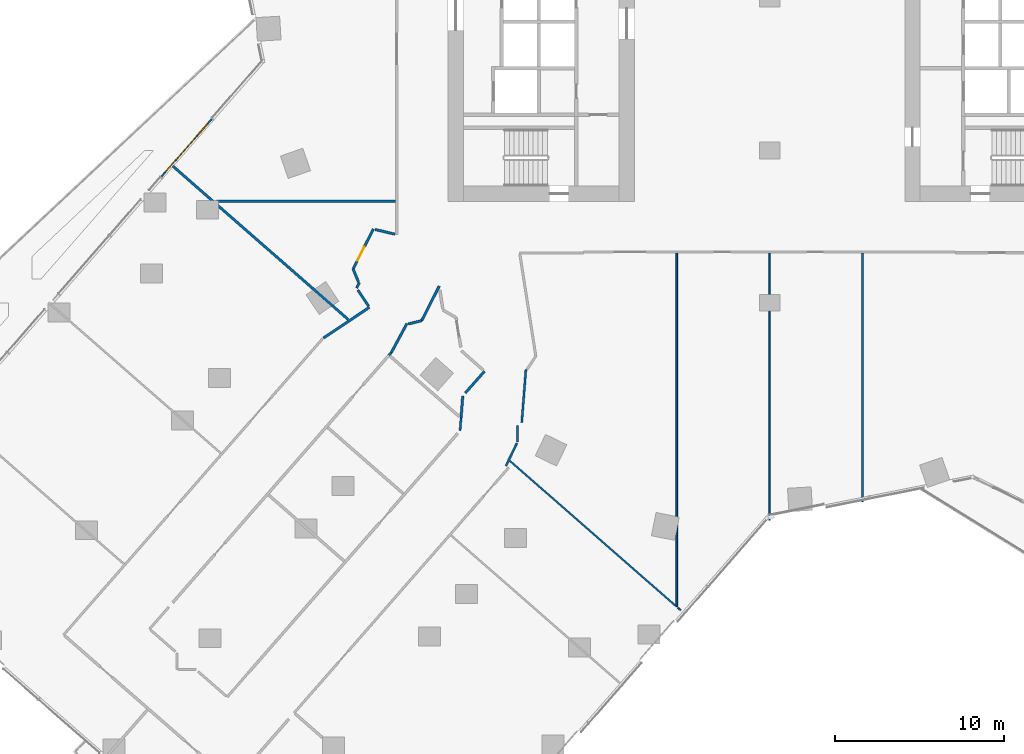
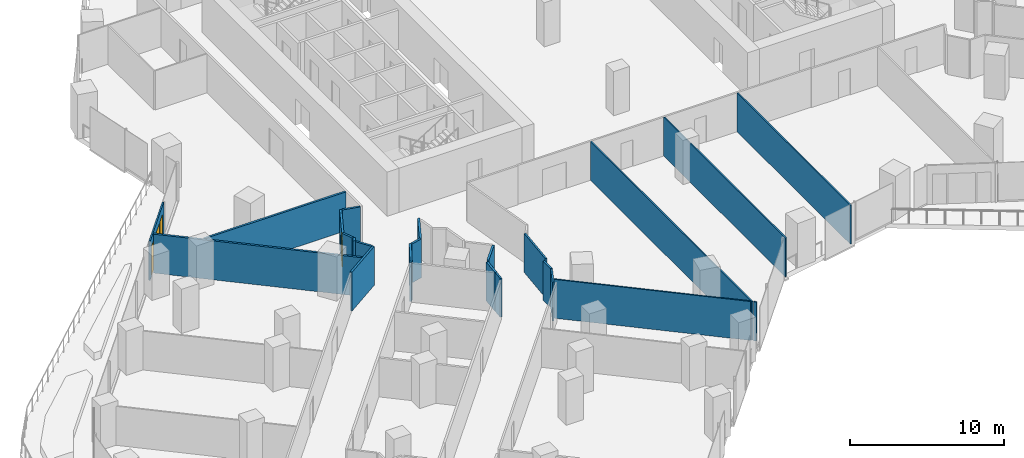
# One storey, part 22 of 32: 24 walls, 2 doors, 2 windows, 4 openings.
"""IFC4 building model written with IfcOpenShell, lengths in metres."""

from ifc_helpers import new_model, si_unit, direction, frame, frame_2d, origin, place, context, subcontext, project, spatial, rectangle, extrude, material, layer, layer_set, type_object, element, fill, save


model = new_model("IFC4")

# Units and contexts
model_context = context("Model", 3, precision=1e-05, world=origin(), true_north=direction((0.0, 1.0)))
body_context = subcontext(model_context, "Body", "Model", "MODEL_VIEW")
ifc_project = project(units=[si_unit("LENGTHUNIT", "METRE"), si_unit("AREAUNIT", "SQUARE_METRE"), si_unit("VOLUMEUNIT", "CUBIC_METRE"), si_unit("PLANEANGLEUNIT", "RADIAN"), si_unit("MASSUNIT", "GRAM", prefix="KILO")], contexts=[model_context])

# Site, building, storey
site_placement = place(None, origin())
site = spatial("IfcSite", under=ifc_project, at=site_placement, CompositionType="ELEMENT")
building_placement = place(site_placement, origin())
building = spatial("IfcBuilding", under=site, at=building_placement, Name="Orlundy Tower", CompositionType="ELEMENT")
storey_placement = place(building_placement, frame((0.0, 0.0, 58.800048828125)))
storey = spatial("IfcBuildingStorey", under=building, at=storey_placement, Name="L13", CompositionType="ELEMENT", Elevation=58.800048828125)

# Walls
ifc_material_1 = material(Name="Gypsum board partition")
ifc_layer_1 = layer(ifc_material_1, 0.10009765625)
ifc_layer_set_1 = layer_set([ifc_layer_1], Name="Floor partition 100")
wall_type_1 = type_object("IfcWallType", Name="Floor partition 100", PredefinedType="PARTITIONING", material=ifc_layer_set_1)
wall_1_placement = place(storey_placement, frame((-15.35888671875, -27.343017578125, 0.0), z_axis=(0.0, 0.0, 1.0), x_axis=(0.752799867841, -0.658249465612, 0.0)))
element("IfcWall", 1, at=wall_1_placement, inside=storey, type_object=wall_type_1, Name="wall-int-L13-020", PredefinedType="PARTITIONING", context=body_context, shape_type="SweptSolid", body=[
    extrude(rectangle(XDim=13.0087890625, YDim=0.10009765625, at=frame_2d((6.50439453125, 0.0))), origin(), (0.0, 0.0, 1.0), 3.079833984375),
])
wall_2_placement = place(storey_placement, frame((-5.426025390625, -36.028076171875, 0.0), z_axis=(0.0, 0.0, 1.0), x_axis=(0.753404579801, -0.657557251602, 0.0)))
element("IfcWall", 2, at=wall_2_placement, inside=storey, type_object=wall_type_1, Name="wall-int-L13-021", PredefinedType="PARTITIONING", context=body_context, shape_type="SweptSolid", body=[
    extrude(rectangle(XDim=0.218994140625, YDim=0.10009765625, at=frame_2d((0.109375, 0.0))), origin(), (0.0, 0.0, 1.0), 3.079833984375),
])
wall_3_placement = place(storey_placement, frame((5.49609375, -29.75, 0.0), z_axis=(0.0, 0.0, 1.0), x_axis=(0.0, 1.0, 0.0)))
element("IfcWall", 3, at=wall_3_placement, inside=storey, type_object=wall_type_1, Name="wall-int-L13-102", PredefinedType="PARTITIONING", context=body_context, shape_type="SweptSolid", body=[
    extrude(rectangle(XDim=14.68701171875, YDim=0.10009765625, at=frame_2d((7.343505859375, 0.0))), origin(), (0.0, 0.0, 1.0), 3.079833984375),
])
wall_4_placement = place(storey_placement, frame((0.0, -30.85107421875, 0.0), z_axis=(0.0, 0.0, 1.0), x_axis=(0.0, 1.0, 0.0)))
element("IfcWall", 4, at=wall_4_placement, inside=storey, type_object=wall_type_1, Name="wall-int-L13-104", PredefinedType="PARTITIONING", context=body_context, shape_type="SweptSolid", body=[
    extrude(rectangle(XDim=15.7880859375, YDim=0.10009765625, at=frame_2d((7.89404296875, 0.0))), origin(), (0.0, 0.0, 1.0), 3.079833984375),
])
wall_5_placement = place(storey_placement, frame((-5.493896484375, -35.968017578125, 0.0), z_axis=(0.0, 0.0, 1.0), x_axis=(0.0, 1.0, 0.0)))
element("IfcWall", 5, at=wall_5_placement, inside=storey, type_object=wall_type_1, Name="wall-int-L13-106", PredefinedType="PARTITIONING", context=body_context, shape_type="SweptSolid", body=[
    extrude(rectangle(XDim=20.905029296875, YDim=0.10009765625, at=frame_2d((10.45263671875, 0.0))), origin(), (0.0, 0.0, 1.0), 3.079833984375),
])
ifc_material_2 = material(Name="Gypsum board partition, double layer")
ifc_layer_2 = layer(ifc_material_2, 0.125)
ifc_layer_set_2 = layer_set([ifc_layer_2], Name="Floor partition 125")
wall_type_2 = type_object("IfcWallType", Name="Floor partition 125", PredefinedType="PARTITIONING", material=ifc_layer_set_2)
wall_6_placement = place(storey_placement, frame((-15.591064453125, -27.64892578125, 0.0), z_axis=(0.0, 0.0, 1.0), x_axis=(0.435228188542, 0.900320178547, 0.0)))
element("IfcWall", 6, at=wall_6_placement, inside=storey, type_object=wall_type_2, Name="wall-int-L13-090", PredefinedType="PARTITIONING", context=body_context, shape_type="SweptSolid", body=[
    extrude(rectangle(XDim=1.49609375, YDim=0.125, at=frame_2d((0.748046875, 0.0))), origin(), (0.0, 0.0, 1.0), 3.079833984375),
])
wall_7_placement = place(storey_placement, frame((-18.301025390625, -25.56298828125, 0.0), z_axis=(0.0, 0.0, 1.0), x_axis=(0.077974163802, 0.996955380034, 0.0)))
element("IfcWall", 7, at=wall_7_placement, inside=storey, type_object=wall_type_2, Name="wall-int-L13-092", PredefinedType="PARTITIONING", context=body_context, shape_type="SweptSolid", body=[
    extrude(rectangle(XDim=0.7451171875, YDim=0.125, at=frame_2d((0.37255859375, 0.0))), origin(), (0.0, 0.0, 1.0), 3.079833984375),
])
wall_8_placement = place(storey_placement, frame((-14.652099609375, -25.077880859375, 0.0), z_axis=(0.0, 0.0, 1.0), x_axis=(0.077544442432, 0.996988896351, 0.0)))
element("IfcWall", 8, at=wall_8_placement, inside=storey, type_object=wall_type_2, Name="wall-int-L13-093", PredefinedType="PARTITIONING", context=body_context, shape_type="SweptSolid", body=[
    extrude(rectangle(XDim=3.1484375, YDim=0.125, at=frame_2d((1.57421875, 0.0))), origin(), (0.0, 0.0, 1.0), 3.079833984375),
])
wall_9_placement = place(storey_placement, frame((-14.910888671875, -26.243896484375, 0.0), z_axis=(0.0, 0.0, 1.0), x_axis=(0.0, 1.0, 0.0)))
element("IfcWall", 9, at=wall_9_placement, inside=storey, type_object=wall_type_2, Name="wall-int-L13-108", PredefinedType="PARTITIONING", context=body_context, shape_type="SweptSolid", body=[
    extrude(rectangle(XDim=0.994873046875, YDim=0.125, at=frame_2d((0.49755859375, 0.0))), origin(), (0.0, 0.0, 1.0), 3.079833984375),
])
ifc_material_3 = material(Name="Blockwork shaft wall", Category="masonry")
ifc_layer_3 = layer(ifc_material_3, 0.14990234375)
ifc_layer_set_3 = layer_set([ifc_layer_3], Name="Floor shaft wall 150")
wall_type_3 = type_object("IfcWallType", Name="Floor shaft wall 150", PredefinedType="PARTITIONING", material=ifc_layer_set_3)
wall_10_placement = place(storey_placement, frame((-24.345947265625, -17.241943359375, 0.0), z_axis=(0.0, 0.0, 1.0), x_axis=(0.55625636637, -0.831010742935, 0.0)))
element("IfcWall", 10, at=wall_10_placement, inside=storey, type_object=wall_type_3, Name="wall-int-L13-004", PredefinedType="PARTITIONING", context=body_context, shape_type="SweptSolid", body=[
    extrude(rectangle(XDim=1.15771484375, YDim=0.14990234375, at=frame_2d((0.578857421875, 0.0))), origin(), (0.0, 0.0, 1.0), 3.079833984375),
])
wall_11_placement = place(storey_placement, frame((-35.281005859375, -9.9208984375, 0.0), z_axis=(0.0, 0.0, 1.0), x_axis=(0.752809357725, -0.658238612452, 0.0)))
element("IfcWall", 11, at=wall_11_placement, inside=storey, type_object=wall_type_3, Name="wall-int-L13-018", PredefinedType="PARTITIONING", context=body_context, shape_type="SweptSolid", body=[
    extrude(rectangle(XDim=13.77783203125, YDim=0.14990234375, at=frame_2d((6.888916015625, 0.0))), origin(), (0.0, 0.0, 1.0), 3.079833984375),
])
wall_12_placement = place(storey_placement, frame((-24.623046875, -15.99609375, 0.0), z_axis=(0.0, 0.0, 1.0), x_axis=(0.376274056367, -0.92650841038, 0.0)))
element("IfcWall", 12, at=wall_12_placement, inside=storey, type_object=wall_type_3, Name="wall-int-L13-025", PredefinedType="PARTITIONING", context=body_context, shape_type="SweptSolid", body=[
    extrude(rectangle(XDim=0.82666015625, YDim=0.14990234375, at=frame_2d((0.413330078125, 0.0))), origin(), (0.0, 0.0, 1.0), 3.079833984375),
])
wall_13_placement = place(storey_placement, frame((-21.373046875, -19.258056640625, 0.0), z_axis=(0.0, 0.0, 1.0), x_axis=(0.96864217239, 0.248459940165, 0.0)))
element("IfcWall", 13, at=wall_13_placement, inside=storey, type_object=wall_type_3, Name="wall-int-L13-026", PredefinedType="PARTITIONING", context=body_context, shape_type="SweptSolid", body=[
    extrude(rectangle(XDim=0.833251953125, YDim=0.14990234375, at=frame_2d((0.41650390625, 0.0))), origin(), (0.0, 0.0, 1.0), 3.079833984375),
])
wall_14_placement = place(storey_placement, frame((-23.324951171875, -13.6640625, 0.0), z_axis=(0.0, 0.0, 1.0), x_axis=(0.972436756549, -0.233166795477, 0.0)))
element("IfcWall", 14, at=wall_14_placement, inside=storey, type_object=wall_type_3, Name="wall-int-L13-041", PredefinedType="PARTITIONING", context=body_context, shape_type="SweptSolid", body=[
    extrude(rectangle(XDim=1.20947265625, YDim=0.14990234375, at=frame_2d((0.604736328125, 0.0))), origin(), (0.0, 0.0, 1.0), 3.079833984375),
])
wall_15_placement = place(storey_placement, frame((-32.705078125, -12.0, 0.0), z_axis=(0.0, 0.0, 1.0), x_axis=(1.0, 0.0, 0.0)))
element("IfcWall", 15, at=wall_15_placement, inside=storey, type_object=wall_type_3, Name="wall-int-L13-051", PredefinedType="PARTITIONING", context=body_context, shape_type="SweptSolid", body=[
    extrude(rectangle(XDim=10.580078125, YDim=0.14990234375, at=frame_2d((5.2900390625, 0.0))), origin(), (0.0, 0.0, 1.0), 3.079833984375),
])
wall_16_placement = place(storey_placement, frame((-26.376953125, -20.0869140625, 0.0), z_axis=(0.0, 0.0, 1.0), x_axis=(0.830715782385, 0.55669676566, 0.0)))
element("IfcWall", 16, at=wall_16_placement, inside=storey, type_object=wall_type_3, Name="wall-int-L13-062", PredefinedType="PARTITIONING", context=body_context, shape_type="SweptSolid", body=[
    extrude(rectangle(XDim=3.270751953125, YDim=0.14990234375, at=frame_2d((1.63525390625, 0.0))), origin(), (0.0, 0.0, 1.0), 3.079833984375),
])
wall_17_placement = place(storey_placement, frame((-17.992919921875, -23.3330078125, 0.0), z_axis=(0.0, 0.0, 1.0), x_axis=(0.663312943568, 0.748342126902, 0.0)))
element("IfcWall", 17, at=wall_17_placement, inside=storey, type_object=wall_type_3, Name="wall-int-L13-064", PredefinedType="PARTITIONING", context=body_context, shape_type="SweptSolid", body=[
    extrude(rectangle(XDim=1.717041015625, YDim=0.14990234375, at=frame_2d((0.8583984375, 0.0))), origin(), (0.0, 0.0, 1.0), 3.079833984375),
])
wall_18_placement = place(storey_placement, frame((-22.5, -21.097900390625, 0.0), z_axis=(0.0, 0.0, 1.0), x_axis=(0.659354460112, 0.751832225919, 0.0)))
element("IfcWall", 18, at=wall_18_placement, inside=storey, type_object=wall_type_3, Name="wall-int-L13-071", PredefinedType="PARTITIONING", context=body_context, shape_type="SweptSolid", body=[
    extrude(rectangle(XDim=0.203369140625, YDim=0.14990234375, at=frame_2d((0.1015625, 0.0))), origin(), (0.0, 0.0, 1.0), 3.079833984375),
])
wall_19_placement = place(storey_placement, frame((-22.365966796875, -20.945068359375, 0.0), z_axis=(0.0, 0.0, 1.0), x_axis=(0.473846511914, 0.880607451221, 0.0)))
element("IfcWall", 19, at=wall_19_placement, inside=storey, type_object=wall_type_3, Name="wall-int-L13-075", PredefinedType="PARTITIONING", context=body_context, shape_type="SweptSolid", body=[
    extrude(rectangle(XDim=1.954345703125, YDim=0.14990234375, at=frame_2d((0.97705078125, 0.0))), origin(), (0.0, 0.0, 1.0), 3.079833984375),
])
wall_20_placement = place(storey_placement, frame((-20.56591796875, -19.051025390625, 0.0), z_axis=(0.0, 0.0, 1.0), x_axis=(0.452931516421, 0.891545310925, 0.0)))
element("IfcWall", 20, at=wall_20_placement, inside=storey, type_object=wall_type_3, Name="wall-int-L13-076", PredefinedType="PARTITIONING", context=body_context, shape_type="SweptSolid", body=[
    extrude(rectangle(XDim=2.284912109375, YDim=0.14990234375, at=frame_2d((1.142578125, 0.0))), origin(), (0.0, 0.0, 1.0), 3.079833984375),
])

# Wall, opening, door
wall_21_placement = place(storey_placement, frame((-24.623046875, -15.99609375, 0.0), z_axis=(0.0, 0.0, 1.0), x_axis=(0.453225530358, 0.891395882104, 0.0)))
wall_21 = element("IfcWall", 21, at=wall_21_placement, inside=storey, type_object=wall_type_3, Name="wall-int-L13-077", PredefinedType="PARTITIONING", context=body_context, shape_type="SweptSolid", body=[
    extrude(rectangle(XDim=2.643310546875, YDim=0.14990234375, at=frame_2d((1.32177734375, 0.0))), origin(), (0.0, 0.0, 1.0), 3.079833984375),
])
opening_1_placement = place(wall_21_placement, frame((0.56884765625, 0.0, 0.0)))
opening_1 = element("IfcOpeningElement", 22, at=opening_1_placement, cuts=wall_21, Name="Opening 12118", PredefinedType="OPENING", context=body_context, shape_type="SweptSolid", body=[
    extrude(rectangle(XDim=0.89990234375, YDim=2.10009765625, at=frame_2d((0.449951171875, 1.050048828125))), frame((0.0, 0.0849609375, 0.0), z_axis=(0.0, -1.0, 0.0), x_axis=(1.0, 0.0, 0.0)), (0.0, 0.0, 1.0), 0.169921875),
])
ifc_material_4 = material(Name="Timber door leaf", Category="wood")
door_type_1 = type_object("IfcDoorType", Name="Floor door single 900 FD60", OperationType="NOTDEFINED", PredefinedType="DOOR", material=ifc_material_4)
door_1_placement = place(opening_1_placement, origin())
door_1 = element("IfcDoor", 23, at=door_1_placement, inside=storey, type_object=door_type_1, Name="Door 12118", OperationType="SINGLE_SWING_LEFT", OverallHeight=2.10009765625, OverallWidth=0.89990234375, PredefinedType="DOOR", context=body_context, shape_type="SweptSolid", body=[
    extrude(rectangle(XDim=0.89990234375, YDim=2.10009765625, at=frame_2d((0.449951171875, 1.050048828125))), frame((0.0, 0.02490234375, 0.0), z_axis=(0.0, -1.0, 0.0), x_axis=(1.0, 0.0, 0.0)), (0.0, 0.0, 1.0), 0.050048828125),
])
fill(opening_1, door_1)

# Walls
wall_22_placement = place(storey_placement, frame((-24.4169921875, -17.135009765625, 0.0), z_axis=(0.0, 0.0, 1.0), x_axis=(0.452087427058, 0.891973630942, 0.0)))
element("IfcWall", 24, at=wall_22_placement, inside=storey, type_object=wall_type_3, Name="wall-int-L13-078", PredefinedType="PARTITIONING", context=body_context, shape_type="SweptSolid", body=[
    extrude(rectangle(XDim=0.380126953125, YDim=0.14990234375, at=frame_2d((0.18994140625, 0.0))), origin(), (0.0, 0.0, 1.0), 3.079833984375),
])
wall_23_placement = place(storey_placement, frame((-18.242919921875, -24.820068359375, 0.0), z_axis=(0.0, 0.0, 1.0), x_axis=(0.076950501437, 0.997034914298, 0.0)))
element("IfcWall", 25, at=wall_23_placement, inside=storey, type_object=wall_type_3, Name="wall-int-L13-094", PredefinedType="PARTITIONING", context=body_context, shape_type="SweptSolid", body=[
    extrude(rectangle(XDim=1.322998046875, YDim=0.14990234375, at=frame_2d((0.66162109375, 0.0))), origin(), (0.0, 0.0, 1.0), 3.079833984375),
])

# Wall, openings, windows, door
ifc_material_5 = material(Name="Aluminium bronze and tinted glass", Category="aluminium")
ifc_layer_4 = layer(ifc_material_5, 0.10009765625)
ifc_layer_set_4 = layer_set([ifc_layer_4], Name="Glazed door screen")
wall_type_4 = type_object("IfcWallType", Name="Glazed door screen", PredefinedType="STANDARD", material=ifc_layer_set_4)
wall_24_placement = place(storey_placement, frame((-35.9677734375, -10.55322265625, 0.0), z_axis=(0.0, 0.0, 1.0), x_axis=(0.658272283298, 0.752779915408, 0.0)))
wall_24 = element("IfcWall", 26, at=wall_24_placement, inside=storey, type_object=wall_type_4, Name="Glazed door screen", PredefinedType="STANDARD", context=body_context, shape_type="SweptSolid", body=[
    extrude(rectangle(XDim=4.538818359375, YDim=0.10009765625, at=frame_2d((2.26953125, 0.0))), origin(), (0.0, 0.0, 1.0), 3.099853515625),
])
opening_2_placement = place(wall_24_placement, frame((1.368896484375, 0.0, 0.0)))
opening_2 = element("IfcOpeningElement", 27, at=opening_2_placement, cuts=wall_24, Name="Opening 12942", PredefinedType="OPENING", context=body_context, shape_type="SweptSolid", body=[
    extrude(rectangle(XDim=1.800048828125, YDim=2.39990234375, at=frame_2d((0.89990234375, 1.199951171875))), frame((0.0, 0.06005859375, 0.0), z_axis=(0.0, -1.0, 0.0), x_axis=(1.0, 0.0, 0.0)), (0.0, 0.0, 1.0), 0.1201171875),
])
opening_3_placement = place(wall_24_placement, frame((0.368896484375, 0.0, 0.0)))
opening_3 = element("IfcOpeningElement", 28, at=opening_3_placement, cuts=wall_24, Name="Opening W02", PredefinedType="OPENING", context=body_context, shape_type="SweptSolid", body=[
    extrude(rectangle(XDim=0.89990234375, YDim=2.39990234375, at=frame_2d((0.449951171875, 1.199951171875))), frame((0.0, 0.06005859375, 0.0), z_axis=(0.0, -1.0, 0.0), x_axis=(1.0, 0.0, 0.0)), (0.0, 0.0, 1.0), 0.1201171875),
])
opening_4_placement = place(wall_24_placement, frame((3.26904296875, 0.0, 0.0)))
opening_4 = element("IfcOpeningElement", 29, at=opening_4_placement, cuts=wall_24, Name="Opening W02", PredefinedType="OPENING", context=body_context, shape_type="SweptSolid", body=[
    extrude(rectangle(XDim=0.89990234375, YDim=2.39990234375, at=frame_2d((0.449951171875, 1.199951171875))), frame((0.0, 0.06005859375, 0.0), z_axis=(0.0, -1.0, 0.0), x_axis=(1.0, 0.0, 0.0)), (0.0, 0.0, 1.0), 0.1201171875),
])
ifc_material_6 = material(Name="Tinted glass in bronze aluminium frame", Category="aluminium")
window_type = type_object("IfcWindowType", Name="SL2 sidelight 900x2400", PartitioningType="SINGLE_PANEL", PredefinedType="WINDOW", material=ifc_material_6)
window_1_placement = place(opening_3_placement, origin())
window_1 = element("IfcWindow", 30, at=window_1_placement, inside=storey, type_object=window_type, Name="Window W02 L13", OverallHeight=2.39990234375, OverallWidth=0.89990234375, PartitioningType="SINGLE_PANEL", PredefinedType="WINDOW", context=body_context, shape_type="SweptSolid", body=[
    extrude(rectangle(XDim=0.89990234375, YDim=2.39990234375, at=frame_2d((0.449951171875, 1.199951171875))), frame((0.0, 0.030029296875, 0.0), z_axis=(0.0, -1.0, 0.0), x_axis=(1.0, 0.0, 0.0)), (0.0, 0.0, 1.0), 0.06005859375),
])
fill(opening_3, window_1)
window_2_placement = place(opening_4_placement, origin())
window_2 = element("IfcWindow", 31, at=window_2_placement, inside=storey, type_object=window_type, Name="Window W02 L13", OverallHeight=2.39990234375, OverallWidth=0.89990234375, PartitioningType="SINGLE_PANEL", PredefinedType="WINDOW", context=body_context, shape_type="SweptSolid", body=[
    extrude(rectangle(XDim=0.89990234375, YDim=2.39990234375, at=frame_2d((0.449951171875, 1.199951171875))), frame((0.0, 0.030029296875, 0.0), z_axis=(0.0, -1.0, 0.0), x_axis=(1.0, 0.0, 0.0)), (0.0, 0.0, 1.0), 0.06005859375),
])
fill(opening_4, window_2)
ifc_material_7 = material(Name="Aluminium bronze and tinted glass", Category="aluminium")
door_type_2 = type_object("IfcDoorType", Name="TD1 terrace door 1800x2400", OperationType="NOTDEFINED", PredefinedType="DOOR", material=ifc_material_7)
door_2_placement = place(opening_2_placement, origin())
door_2 = element("IfcDoor", 32, at=door_2_placement, inside=storey, type_object=door_type_2, Name="Door 12942", OperationType="DOUBLE_DOOR_SINGLE_SWING", OverallHeight=2.39990234375, OverallWidth=1.800048828125, PredefinedType="DOOR", context=body_context, shape_type="SweptSolid", body=[
    extrude(rectangle(XDim=1.800048828125, YDim=2.39990234375, at=frame_2d((0.89990234375, 1.199951171875))), frame((0.0, 0.02490234375, 0.0), z_axis=(0.0, -1.0, 0.0), x_axis=(1.0, 0.0, 0.0)), (0.0, 0.0, 1.0), 0.050048828125),
])
fill(opening_2, door_2)

save(model, "model.ifc")
